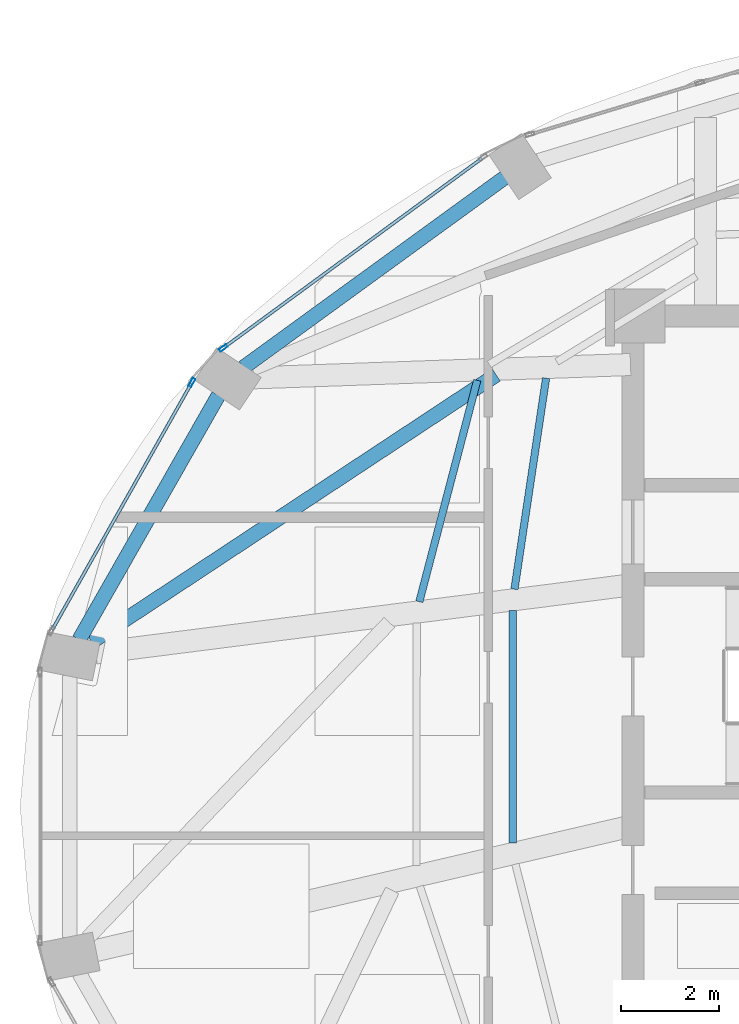
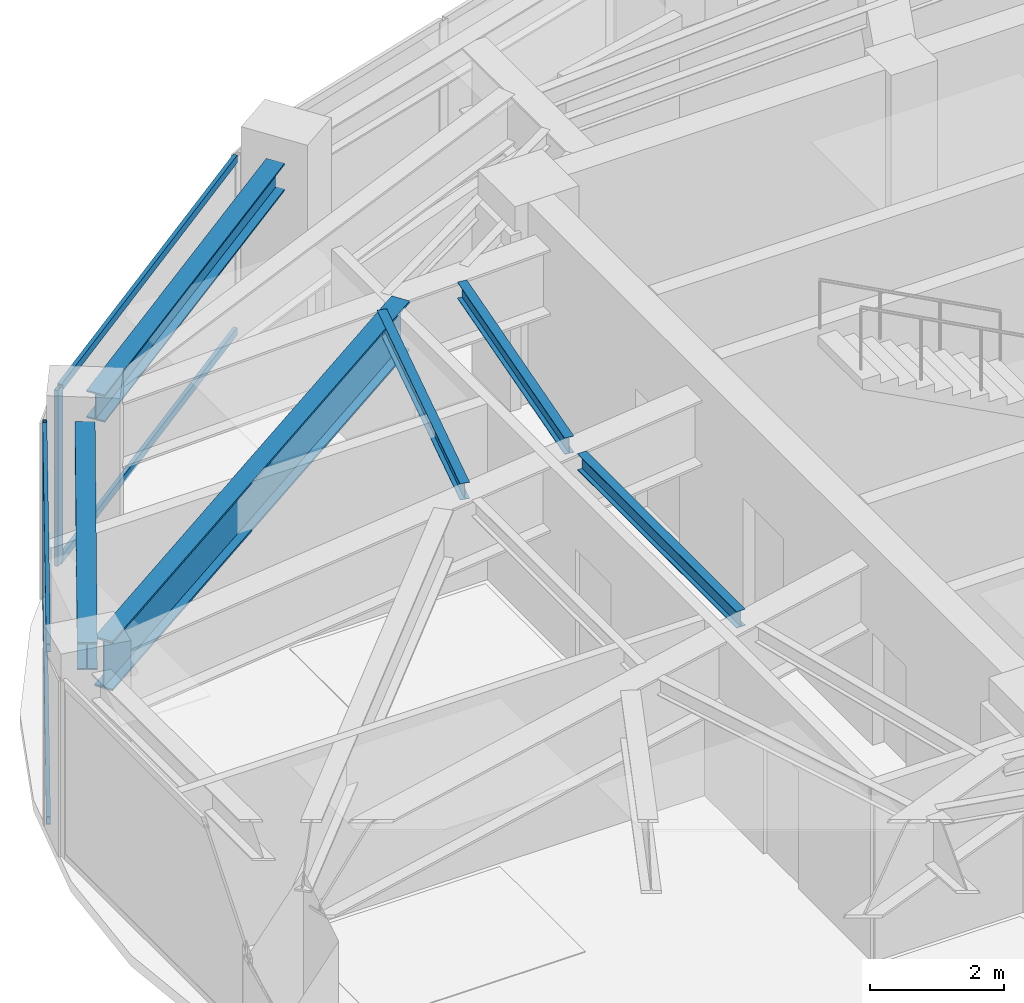
# One storey, part 9 of 23: 6 beams, 6 members, 2 elements without a shape of their own.
"""IFC4 building model written with IfcOpenShell, lengths in metres."""

from ifc_helpers import new_model, si_unit, direction, frame, origin, origin_2d, place, context, subcontext, project, spatial, hollow_rectangle, i_section, extrude, material, layer, layer_set, material_profile, profile_set, type_object, element, aggregate, save


model = new_model("IFC4")

# Units and contexts
model_context = context("Model", 3, precision=1e-05, world=origin(), true_north=direction((0.0, 1.0)))
body_context = subcontext(model_context, "Body", "Model", "MODEL_VIEW")
ifc_project = project(units=[si_unit("LENGTHUNIT", "METRE"), si_unit("AREAUNIT", "SQUARE_METRE"), si_unit("VOLUMEUNIT", "CUBIC_METRE"), si_unit("PLANEANGLEUNIT", "RADIAN"), si_unit("MASSUNIT", "GRAM", prefix="KILO")], contexts=[model_context])

# Site, building, storey
site_placement = place(None, origin())
site = spatial("IfcSite", under=ifc_project, at=site_placement, CompositionType="ELEMENT")
building_placement = place(site_placement, origin())
building = spatial("IfcBuilding", under=site, at=building_placement, Name="Lazwardi Medical Tower", CompositionType="ELEMENT")
storey_placement = place(building_placement, frame((0.0, 0.0, 265.968017578125)))
storey = spatial("IfcBuildingStorey", under=building, at=storey_placement, Name="L69", CompositionType="ELEMENT", Elevation=265.968017578125)

# Beams
ifc_material_1 = material(Name="Steel S460", Category="steel")
ifc_material_profile_1 = material_profile(ifc_material_1, i_section(OverallWidth=0.300048828125, OverallDepth=0.89990234375, WebThickness=0.0185546875, FlangeThickness=0.034912109375, at=origin_2d()), Name="HEB 900")
ifc_profile_set_1 = profile_set([ifc_material_profile_1], Name="Steel S460")
beam_type_1 = type_object("IfcBeamType", Name="BM-HB-01", PredefinedType="BEAM", material=ifc_profile_set_1)
beam_1_placement = place(storey_placement, frame((23.510498046875, 34.401123046875, 2.748046875), z_axis=(-0.834644383299, -0.550789209614, 0.0), x_axis=(0.550789209614, -0.834644383299, 0.0)))
element("IfcBeam", 1, at=beam_1_placement, inside=storey, type_object=beam_type_1, Name="Transfer girder tie HB-01 M11 L69", PredefinedType="BEAM", context=body_context, shape_type="SweptSolid", body=[
    extrude(i_section(OverallWidth=0.300048828125, OverallDepth=0.89990234375, WebThickness=0.0185546875, FlangeThickness=0.034912109375, at=origin_2d()), origin(), (0.0, 0.0, 1.0), 9.88330078125),
])
ifc_material_2 = material(Name="Steel S355", Category="steel")
ifc_material_profile_2 = material_profile(ifc_material_2, i_section(OverallWidth=0.300048828125, OverallDepth=0.5, WebThickness=0.014404296875, FlangeThickness=0.028076171875, at=origin_2d()), Name="HEB 500")
ifc_profile_set_2 = profile_set([ifc_material_profile_2], Name="Steel S355")
beam_type_2 = type_object("IfcBeamType", Name="BM-RB-Z4", PredefinedType="BEAM", material=ifc_profile_set_2)
beam_2_placement = place(storey_placement, frame((23.68408203125, 38.4248046875, 2.947998046875), z_axis=(-0.808889916254, -0.587960120571, 0.0), x_axis=(0.587960120571, -0.808889916254, 0.0)))
element("IfcBeam", 2, at=beam_2_placement, inside=storey, type_object=beam_type_2, Name="Ring beam RB-05 B10 L69", PredefinedType="BEAM", context=body_context, shape_type="SweptSolid", body=[
    extrude(i_section(OverallWidth=0.300048828125, OverallDepth=0.5, WebThickness=0.014404296875, FlangeThickness=0.028076171875, at=origin_2d()), origin(), (0.0, 0.0, 1.0), 6.587158203125),
])
beam_3_placement = place(storey_placement, frame((17.84716796875, 33.983642578125, 2.947998046875), z_axis=(-0.495125273299, -0.868821594886, 0.0), x_axis=(0.868821594886, -0.495125273299, 0.0)))
element("IfcBeam", 3, at=beam_3_placement, inside=storey, type_object=beam_type_2, Name="Ring beam RB-05 B11 L69", PredefinedType="BEAM", context=body_context, shape_type="SweptSolid", body=[
    extrude(i_section(OverallWidth=0.300048828125, OverallDepth=0.5, WebThickness=0.014404296875, FlangeThickness=0.028076171875, at=origin_2d()), origin(), (0.0, 0.0, 1.0), 5.734130859375),
])
ifc_material_profile_3 = material_profile(ifc_material_2, i_section(OverallWidth=0.14990234375, OverallDepth=0.300048828125, WebThickness=0.007080078125, FlangeThickness=0.0107421875, at=origin_2d()), Name="IPE 300")
ifc_profile_set_3 = profile_set([ifc_material_profile_3], Name="Steel S355")
beam_type_3 = type_object("IfcBeamType", Name="BM-SJ-03", PredefinedType="JOIST", material=ifc_profile_set_3)
beam_4_placement = place(storey_placement, frame((23.12451171875, 34.29150390625, 3.048095703125), z_axis=(-0.252971250533, -0.967473796236, 0.0), x_axis=(0.967473796236, -0.252971250533, 0.0)))
element("IfcBeam", 4, at=beam_4_placement, inside=storey, type_object=beam_type_3, Name="Secondary joist SJ-03 R3 B11 L69", PredefinedType="JOIST", context=body_context, shape_type="SweptSolid", body=[
    extrude(i_section(OverallWidth=0.14990234375, OverallDepth=0.300048828125, WebThickness=0.007080078125, FlangeThickness=0.0107421875, at=origin_2d()), origin(), (0.0, 0.0, 1.0), 4.667236328125),
])
beam_5_placement = place(storey_placement, frame((24.52880859375, 34.33544921875, 3.048095703125), z_axis=(-0.148178638661, -0.988960611473, 0.0), x_axis=(0.988960611473, -0.148178638661, 0.0)))
element("IfcBeam", 5, at=beam_5_placement, inside=storey, type_object=beam_type_3, Name="Secondary joist SJ-03 R4 B11 L69", PredefinedType="JOIST", context=body_context, shape_type="SweptSolid", body=[
    extrude(i_section(OverallWidth=0.14990234375, OverallDepth=0.300048828125, WebThickness=0.007080078125, FlangeThickness=0.0107421875, at=origin_2d()), origin(), (0.0, 0.0, 1.0), 4.35302734375),
])
beam_6_placement = place(storey_placement, frame((23.85107421875, 29.593017578125, 3.048095703125), z_axis=(-0.000412498676, -0.999999914922, 0.0), x_axis=(0.999999914922, -0.000412498676, 0.0)))
element("IfcBeam", 6, at=beam_6_placement, inside=storey, type_object=beam_type_3, Name="Secondary joist SJ-03 R4 B12 L69", PredefinedType="JOIST", context=body_context, shape_type="SweptSolid", body=[
    extrude(i_section(OverallWidth=0.14990234375, OverallDepth=0.300048828125, WebThickness=0.007080078125, FlangeThickness=0.0107421875, at=origin_2d()), origin(), (0.0, 0.0, 1.0), 4.73486328125),
])

# Curtain wall, member
ifc_material_3 = material(Name="Anodised bronze aluminium and solar control glazing", Category="aluminium")
ifc_layer = layer(ifc_material_3, 0.18994140625)
ifc_layer_set = layer_set([ifc_layer], Name="Anodised bronze aluminium and solar control glazing")
curtain_wall_type = type_object("IfcCurtainWallType", Name="CW-SYS-04", PredefinedType="NOTDEFINED", material=ifc_layer_set)
curtain_wall_1_placement = place(storey_placement, origin())
curtain_wall_1 = element("IfcCurtainWall", 7, at=curtain_wall_1_placement, inside=storey, type_object=curtain_wall_type, Name="L69 Unitised bronze curtain wall CW-04", PredefinedType="NOTDEFINED")
ifc_material_4 = material(Name="Anodised bronze aluminium", Category="aluminium")
ifc_material_profile_4 = material_profile(ifc_material_4, hollow_rectangle(XDim=0.06494140625, YDim=0.179931640625, WallThickness=0.00390625, at=origin_2d()), Name="ALU-MULLION 180x65x4")
ifc_profile_set_4 = profile_set([ifc_material_profile_4], Name="Anodised bronze aluminium")
member_type_1 = type_object("IfcMemberType", Name="CW-MUL-03", PredefinedType="MULLION", material=ifc_profile_set_4)
member_1_placement = place(storey_placement, frame((17.947998046875, 34.95166015625, 0.0), z_axis=(0.0, 0.0, 1.0), x_axis=(0.591268230971, -0.806474971121, 0.0)))
member_1 = element("IfcMember", 8, at=member_1_placement, type_object=member_type_1, Name="CW-04 mullion 2", PredefinedType="MULLION", context=body_context, shape_type="SweptSolid", body=[
    extrude(hollow_rectangle(XDim=0.06494140625, YDim=0.179931640625, WallThickness=0.00390625, at=origin_2d()), origin(), (0.0, 0.0, 1.0), 3.197998046875),
])

curtain_wall_2_placement = place(storey_placement, origin())
curtain_wall_2 = element("IfcCurtainWall", 9, at=curtain_wall_2_placement, inside=storey, type_object=curtain_wall_type, Name="L69 Unitised bronze curtain wall CW-04", PredefinedType="NOTDEFINED")
member_2_placement = place(storey_placement, frame((17.3056640625, 34.24560546875, 0.0), z_axis=(0.0, 0.0, 1.0), x_axis=(0.870651436011, -0.491900474661, 0.0)))
member_2 = element("IfcMember", 10, at=member_2_placement, type_object=member_type_1, Name="CW-04 mullion 1", PredefinedType="MULLION", context=body_context, shape_type="SweptSolid", body=[
    extrude(hollow_rectangle(XDim=0.06494140625, YDim=0.179931640625, WallThickness=0.00390625, at=origin_2d()), origin(), (0.0, 0.0, 1.0), 3.197998046875),
])

# Member
ifc_material_profile_5 = material_profile(ifc_material_4, hollow_rectangle(XDim=0.06494140625, YDim=0.139892578125, WallThickness=0.00341796875, at=origin_2d()), Name="ALU-TRANSOM 140x65x3.5")
ifc_profile_set_5 = profile_set([ifc_material_profile_5], Name="Anodised bronze aluminium")
member_type_2 = type_object("IfcMemberType", Name="CW-TRN-03", PredefinedType="USERDEFINED", material=ifc_profile_set_5)
member_3_placement = place(storey_placement, frame((23.218505859375, 38.815673828125, 0.032470703125), z_axis=(-0.80648973359, -0.591248094808, 0.0), x_axis=(0.591248094808, -0.80648973359, 0.0)))
member_3 = element("IfcMember", 11, at=member_3_placement, type_object=member_type_2, Name="CW-04 transom 1.1", ObjectType="TRANSOM", PredefinedType="USERDEFINED", context=body_context, shape_type="SweptSolid", body=[
    extrude(hollow_rectangle(XDim=0.06494140625, YDim=0.139892578125, WallThickness=0.00341796875, at=origin_2d()), origin(), (0.0, 0.0, 1.0), 6.502685546875),
])

member_4_placement = place(storey_placement, frame((23.218505859375, 38.815673828125, 3.16552734375), z_axis=(-0.80648973359, -0.591248094808, 0.0), x_axis=(0.591248094808, -0.80648973359, 0.0)))
member_4 = element("IfcMember", 12, at=member_4_placement, type_object=member_type_2, Name="CW-04 transom 1.2", ObjectType="TRANSOM", PredefinedType="USERDEFINED", context=body_context, shape_type="SweptSolid", body=[
    extrude(hollow_rectangle(XDim=0.06494140625, YDim=0.139892578125, WallThickness=0.00341796875, at=origin_2d()), origin(), (0.0, 0.0, 1.0), 6.502685546875),
])

aggregate(curtain_wall_1, [member_1, member_3, member_4])

member_5_placement = place(storey_placement, frame((17.28955078125, 34.21728515625, 0.032470703125), z_axis=(-0.491879719484, -0.87066316194, 0.0), x_axis=(0.87066316194, -0.491879719484, 0.0)))
member_5 = element("IfcMember", 13, at=member_5_placement, type_object=member_type_2, Name="CW-04 transom 1.1", ObjectType="TRANSOM", PredefinedType="USERDEFINED", context=body_context, shape_type="SweptSolid", body=[
    extrude(hollow_rectangle(XDim=0.06494140625, YDim=0.139892578125, WallThickness=0.00341796875, at=origin_2d()), origin(), (0.0, 0.0, 1.0), 5.755126953125),
])

member_6_placement = place(storey_placement, frame((17.28955078125, 34.21728515625, 3.16552734375), z_axis=(-0.491879719484, -0.87066316194, 0.0), x_axis=(0.87066316194, -0.491879719484, 0.0)))
member_6 = element("IfcMember", 14, at=member_6_placement, type_object=member_type_2, Name="CW-04 transom 1.2", ObjectType="TRANSOM", PredefinedType="USERDEFINED", context=body_context, shape_type="SweptSolid", body=[
    extrude(hollow_rectangle(XDim=0.06494140625, YDim=0.139892578125, WallThickness=0.00341796875, at=origin_2d()), origin(), (0.0, 0.0, 1.0), 5.755126953125),
])

aggregate(curtain_wall_2, [member_2, member_5, member_6])

save(model, "model.ifc")
